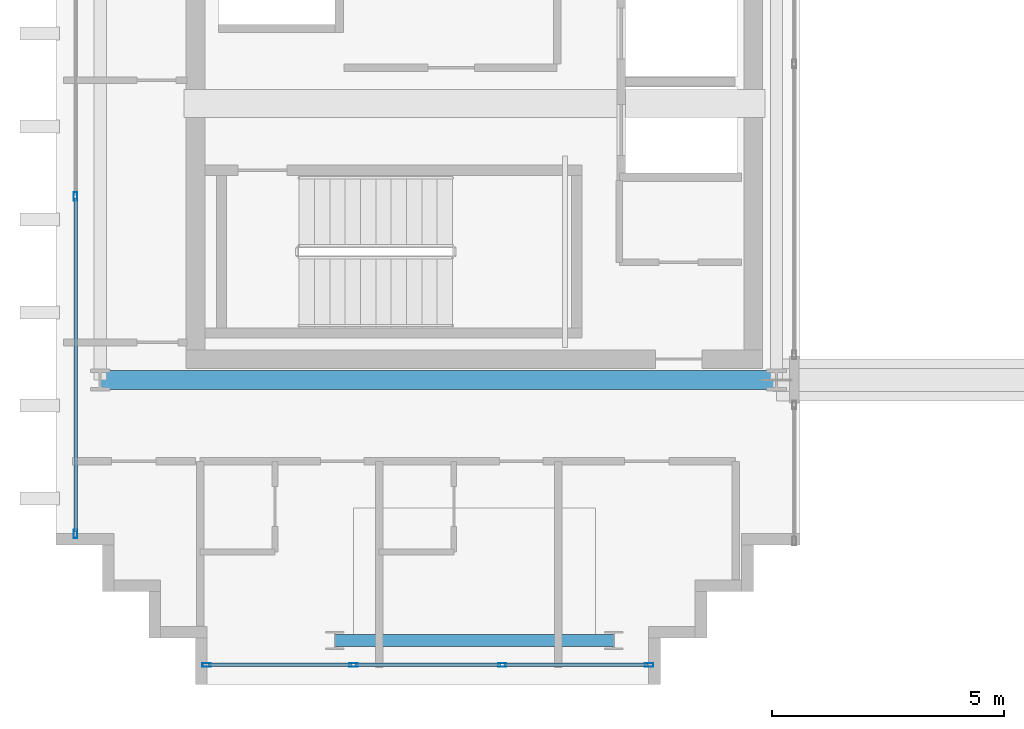
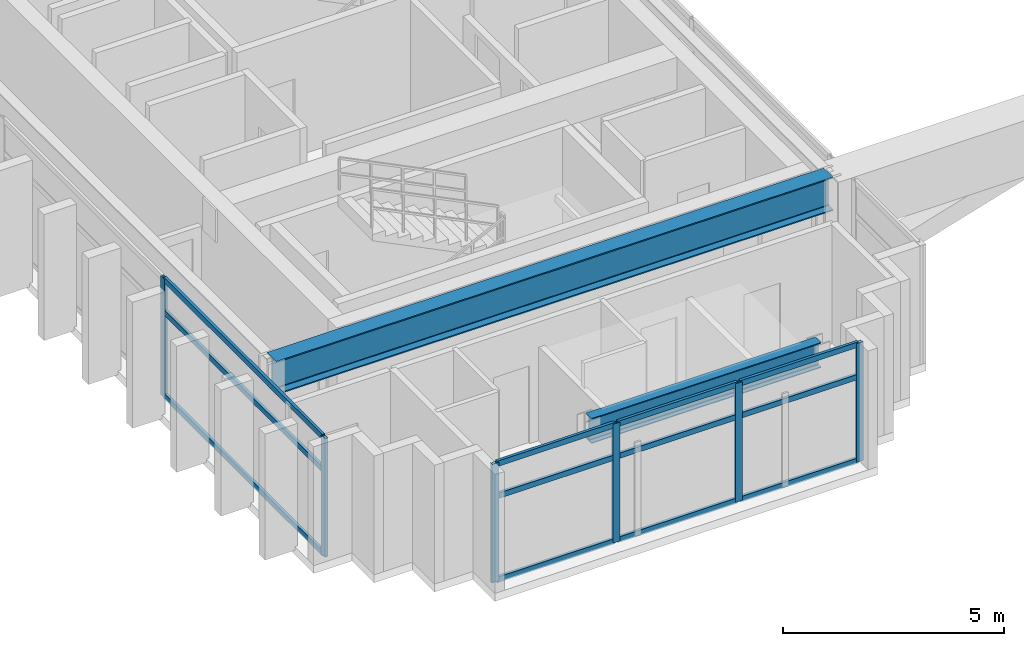
# One storey, part 2 of 28: 18 members, 2 beams, 2 elements without a shape of their own.
"""IFC4 building model written with IfcOpenShell, lengths in metres."""

import ifcopenshell
import ifcopenshell.guid

model = None  # the IFC model being written
_history = None  # IfcOwnerHistory: only IFC2X3 demands one
_inside = {}  # id of a spatial element -> (the spatial element, [elements in it])
_under = {}  # id of a project, library or spatial element -> (it, [spatial elements below it])
_declared = {}  # id of a project -> (the project, [libraries it declares])
_typed = {}  # id of a type object -> (the type object, [elements of that type])
_made_of = {}  # id of a material, layer set ... -> (it, [elements and type objects made of it])


def new_model(schema):
    """Start an empty IFC model of exactly this schema.

    Asked for "IFC4X3", IfcOpenShell would pick the latest addendum, in which some entities
    have other attributes; the version numbers below select the first issue.
    IFC2X3 requires an IfcOwnerHistory on every rooted entity: one is made here for all.
    """
    global model, _history
    if schema == "IFC4X3":
        model = ifcopenshell.file(schema_version=(4, 3, 0, 0))
    else:
        model = ifcopenshell.file(schema=schema)
    _inside.clear()
    _under.clear()
    _declared.clear()
    _typed.clear()
    _made_of.clear()
    _history = None
    if model.schema == "IFC2X3":
        org = make("IfcOrganization", Name="unknown")
        user = make(
            "IfcPersonAndOrganization",
            ThePerson=make("IfcPerson", FamilyName="unknown"),
            TheOrganization=org,
        )
        app = make(
            "IfcApplication",
            ApplicationDeveloper=org,
            Version="unknown",
            ApplicationFullName="unknown",
            ApplicationIdentifier="unknown",
        )
        _history = make(
            "IfcOwnerHistory",
            OwningUser=user,
            OwningApplication=app,
            ChangeAction="ADDED",
            CreationDate=0,
        )
    return model


def make(cls, **values):
    """One entity of the class cls with the attributes given. An attribute that is None is left unset."""
    return model.create_entity(
        cls, **{name: value for name, value in values.items() if value is not None}
    )


def rooted(cls, **values):
    """An entity with a GlobalId (a new one), such as an element, a storey or a relation."""
    return make(cls, GlobalId=ifcopenshell.guid.new(), OwnerHistory=_history, **values)


def si_unit(unit_type, name, prefix=None):
    """IfcSIUnit, for example si_unit("LENGTHUNIT", "METRE", prefix="MILLI")."""
    return make("IfcSIUnit", UnitType=unit_type, Prefix=prefix, Name=name)


def assignment(units):
    """IfcUnitAssignment: the units of a project."""
    return None if units is None else make("IfcUnitAssignment", Units=units)


def point(xyz):
    """IfcCartesianPoint."""
    return None if xyz is None else make("IfcCartesianPoint", Coordinates=xyz)


def direction(xyz):
    """IfcDirection."""
    return None if xyz is None else make("IfcDirection", DirectionRatios=xyz)


def frame(location, z_axis=None, x_axis=None):
    """IfcAxis2Placement3D, a coordinate frame: its origin and axes. An axis left out is left unset."""
    return make(
        "IfcAxis2Placement3D",
        Location=point(location),
        Axis=direction(z_axis),
        RefDirection=direction(x_axis),
    )


def frame_2d(location, x_axis=None):
    """IfcAxis2Placement2D, a coordinate frame in the plane: its origin and x axis."""
    return make(
        "IfcAxis2Placement2D", Location=point(location), RefDirection=direction(x_axis)
    )


def origin():
    """The frame at (0, 0, 0) with its axes left unset."""
    return frame((0.0, 0.0, 0.0))


def origin_2d():
    """The frame at (0, 0) in the plane with its x axis left unset."""
    return frame_2d((0.0, 0.0))


def place(relative_to, where):
    """IfcLocalPlacement: puts the frame where relative to a parent placement (None: the world)."""
    return make(
        "IfcLocalPlacement", PlacementRelTo=relative_to, RelativePlacement=where
    )


def context(
    kind, dimensions, precision=None, world=None, true_north=None, identifier=None
):
    """IfcGeometricRepresentationContext, for example the 3D "Model" context."""
    return make(
        "IfcGeometricRepresentationContext",
        ContextIdentifier=identifier,
        ContextType=kind,
        CoordinateSpaceDimension=dimensions,
        Precision=precision,
        WorldCoordinateSystem=world,
        TrueNorth=true_north,
    )


def subcontext(parent, identifier, kind, view, scale=None):
    """IfcGeometricRepresentationSubContext, for example "Body" below "Model"."""
    return make(
        "IfcGeometricRepresentationSubContext",
        ContextIdentifier=identifier,
        ContextType=kind,
        ParentContext=parent,
        TargetScale=scale,
        TargetView=view,
    )


def project(units=None, contexts=None):
    """IfcProject with its units and contexts."""
    return rooted(
        "IfcProject",
        Name="project",
        RepresentationContexts=contexts,
        UnitsInContext=assignment(units),
    )


def spatial(cls, under=None, at=None, **own):
    """A site, building, storey or space (cls), placed at a placement, below another one or the project."""
    s = rooted(cls, ObjectPlacement=at, **own)
    if under is not None:
        _under.setdefault(under.id(), (under, []))[1].append(s)
    return s


def profile(cls, at=None, kind="AREA", **sizes):
    """A parametric profile (cls). Its sizes go by their IFC names, for example OverallWidth=200.0."""
    return make(cls, ProfileType=kind, Position=at, **sizes)


def hollow_rectangle(**sizes):
    """IfcRectangleHollowProfileDef."""
    return profile("IfcRectangleHollowProfileDef", **sizes)


def i_section(**sizes):
    """IfcIShapeProfileDef."""
    return profile("IfcIShapeProfileDef", **sizes)


def extrude(swept, where, along, depth):
    """IfcExtrudedAreaSolid: the profile swept, set in the frame where, extruded along a direction by depth."""
    return make(
        "IfcExtrudedAreaSolid",
        SweptArea=swept,
        Position=where,
        ExtrudedDirection=direction(along),
        Depth=depth,
    )


def shape(context_of_items, identifier, shape_type, items):
    """IfcShapeRepresentation: the items that make up one representation, for example the "Body"."""
    return make(
        "IfcShapeRepresentation",
        ContextOfItems=context_of_items,
        RepresentationIdentifier=identifier,
        RepresentationType=shape_type,
        Items=items,
    )


def source(mapping_origin, context_of_items, identifier, shape_type, items):
    """IfcRepresentationMap: a shape defined once, which mapped items show again and again."""
    return make(
        "IfcRepresentationMap",
        MappingOrigin=mapping_origin,
        MappedRepresentation=shape(context_of_items, identifier, shape_type, items),
    )


def transform(
    local_origin,
    x_axis=None,
    y_axis=None,
    z_axis=None,
    scale=None,
    scale2=None,
    scale3=None,
    uniform=True,
):
    """IfcCartesianTransformationOperator3D, or its non-uniform kind. x_axis, y_axis, z_axis: its Axis1, 2, 3."""
    if uniform:
        return make(
            "IfcCartesianTransformationOperator3D",
            Axis1=direction(x_axis),
            Axis2=direction(y_axis),
            LocalOrigin=point(local_origin),
            Scale=scale,
            Axis3=direction(z_axis),
        )
    return make(
        "IfcCartesianTransformationOperator3DnonUniform",
        Axis1=direction(x_axis),
        Axis2=direction(y_axis),
        LocalOrigin=point(local_origin),
        Scale=scale,
        Axis3=direction(z_axis),
        Scale2=scale2,
        Scale3=scale3,
    )


def mapped(mapping_source, mapping_target):
    """IfcMappedItem: shows the shape of a source again, moved by a transform."""
    return make(
        "IfcMappedItem", MappingSource=mapping_source, MappingTarget=mapping_target
    )


def material(Name=None, Category=None):
    """IfcMaterial."""
    return make("IfcMaterial", Name=Name, Category=Category)


def layer(
    of_material, thickness, ventilated=None, Name=None, Category=None, Priority=None
):
    """IfcMaterialLayer: one layer of a wall or slab, of a material (None: an air gap)."""
    return make(
        "IfcMaterialLayer",
        Material=of_material,
        LayerThickness=thickness,
        IsVentilated=ventilated,
        Name=Name,
        Category=Category,
        Priority=Priority,
    )


def layer_set(layers, Name=None):
    """IfcMaterialLayerSet."""
    return make("IfcMaterialLayerSet", MaterialLayers=layers, LayerSetName=Name)


def material_profile(
    of_material, cross_section, Name=None, Category=None, Priority=None
):
    """IfcMaterialProfile: a cross section and its material."""
    return make(
        "IfcMaterialProfile",
        Name=Name,
        Material=of_material,
        Profile=cross_section,
        Priority=Priority,
        Category=Category,
    )


def profile_set(profiles, Name=None, composite=None):
    """IfcMaterialProfileSet."""
    return make(
        "IfcMaterialProfileSet",
        Name=Name,
        MaterialProfiles=profiles,
        CompositeProfile=composite,
    )


def made_of(thing, what):
    """Note that an element or type object is made of a material, layer set ...; save() writes the relation."""
    if what is not None:
        _made_of.setdefault(what.id(), (what, []))[1].append(thing)
    return thing


def type_object(cls, material=None, **own):
    """A type object (cls), such as IfcWallType, which elements share."""
    return made_of(rooted(cls, **own), material)


def element(
    cls,
    number,
    at=None,
    inside=None,
    cuts=None,
    type_object=None,
    material=None,
    context=None,
    identifier="Body",
    shape_type=None,
    held_by="IfcProductDefinitionShape",
    body=None,
    shapes=None,
    **own,
):
    """One element of the class cls, such as IfcWall. Its Tag is "e" and its number.

    at: its placement. inside: the storey or other place that contains it. cuts: it is an
    opening in that element (IfcRelVoidsElement). A single representation is given by context,
    identifier, shape_type and body (its items); several are given by shapes. held_by: the class
    of the entity that holds the representations. save() writes the other relations.
    """
    e = rooted(cls, Tag="e%d" % number, ObjectPlacement=at, **own)
    if body is not None:
        shapes = [shape(context, identifier, shape_type, body)]
    if shapes is not None:
        e.Representation = make(held_by, Representations=shapes)
    if inside is not None:
        _inside.setdefault(inside.id(), (inside, []))[1].append(e)
    if cuts is not None:
        rooted(
            "IfcRelVoidsElement", RelatingBuildingElement=cuts, RelatedOpeningElement=e
        )
    if type_object is not None:
        _typed.setdefault(type_object.id(), (type_object, []))[1].append(e)
    return made_of(e, material)


def aggregate(whole, parts):
    """IfcRelAggregates: a whole, such as a stair, and the parts it consists of."""
    return rooted("IfcRelAggregates", RelatingObject=whole, RelatedObjects=parts)


def save(model, path):
    """Write the relations noted so far, then the file.

    IfcRelAggregates (storeys below a building ...), IfcRelContainedInSpatialStructure (elements
    in a storey), IfcRelDefinesByType, IfcRelAssociatesMaterial and IfcRelDeclares: one each for
    every whole, place, type object, material and project.
    """
    for whole, parts in _under.values():
        aggregate(whole, parts)
    for where, things in _inside.values():
        rooted(
            "IfcRelContainedInSpatialStructure",
            RelatedElements=things,
            RelatingStructure=where,
        )
    for kind, things in _typed.values():
        rooted("IfcRelDefinesByType", RelatedObjects=things, RelatingType=kind)
    for what, things in _made_of.values():
        rooted("IfcRelAssociatesMaterial", RelatedObjects=things, RelatingMaterial=what)
    for by, libraries in _declared.values():
        rooted("IfcRelDeclares", RelatingContext=by, RelatedDefinitions=libraries)
    model.write(path)


model = new_model("IFC4")

# Units and contexts
model_context = context("Model", 3, precision=1e-05, world=origin(), true_north=direction((0.0, 1.0)))
body_context = subcontext(model_context, "Body", "Model", "MODEL_VIEW")
ifc_project = project(units=[si_unit("LENGTHUNIT", "METRE"), si_unit("AREAUNIT", "SQUARE_METRE"), si_unit("VOLUMEUNIT", "CUBIC_METRE"), si_unit("PLANEANGLEUNIT", "RADIAN"), si_unit("MASSUNIT", "GRAM", prefix="KILO")], contexts=[model_context])

# Site, building, storey
site_placement = place(None, origin())
site = spatial("IfcSite", under=ifc_project, at=site_placement, CompositionType="ELEMENT")
building_placement = place(site_placement, origin())
building = spatial("IfcBuilding", under=site, at=building_placement, Name="Ocotamira Hotel", CompositionType="ELEMENT")
storey_placement = place(building_placement, frame((0.0, 0.0, 268.800048828125)))
storey = spatial("IfcBuildingStorey", under=building, at=storey_placement, Name="L68", CompositionType="ELEMENT", Elevation=268.800048828125)

# Beams
ifc_material_1 = material(Name="Steel ASTM A992 Grade 50", Category="steel")
ifc_material_profile_1 = material_profile(ifc_material_1, i_section(OverallWidth=0.41796875, OverallDepth=0.927001953125, WebThickness=0.019287109375, FlangeThickness=0.031982421875, FilletRadius=0.02392578125, at=origin_2d()), Name="W36X231")
ifc_profile_set_1 = profile_set([ifc_material_profile_1], Name="Steel ASTM A992 Grade 50")
beam_type_1 = type_object("IfcBeamType", Name="BM-GIRD-W36X231", PredefinedType="BEAM", material=ifc_profile_set_1)
shared_shape_1 = source(origin(), body_context, "Body", "SweptSolid", [
    extrude(i_section(OverallWidth=0.41796875, OverallDepth=0.927001953125, WebThickness=0.019287109375, FlangeThickness=0.031982421875, FilletRadius=0.02392578125, at=origin_2d()), origin(), (0.0, 0.0, 1.0), 14.550048828125),
])
beam_1_placement = place(storey_placement, frame((8.949951171875, 14.550048828125, 2.81640625), z_axis=(1.0, 0.0, 0.0), x_axis=(0.0, 1.0, 0.0)))
element("IfcBeam", 1, at=beam_1_placement, inside=storey, type_object=beam_type_1, Name="L68 Girder Y14.55 X8.95-23.5", PredefinedType="BEAM", context=body_context, shape_type="MappedRepresentation", body=[
    mapped(shared_shape_1, transform((0.0, 0.0, 0.0), scale=1.0)),
])
ifc_material_profile_2 = material_profile(ifc_material_1, i_section(OverallWidth=0.256103515625, OverallDepth=0.693115234375, WebThickness=0.014404296875, FlangeThickness=0.023681640625, FilletRadius=0.01611328125, at=origin_2d()), Name="W27X114")
ifc_profile_set_2 = profile_set([ifc_material_profile_2], Name="Steel ASTM A992 Grade 50")
beam_type_2 = type_object("IfcBeamType", Name="BM-PRIM-W27X114", PredefinedType="BEAM", material=ifc_profile_set_2)
shared_shape_2 = source(origin(), body_context, "Body", "SweptSolid", [
    extrude(i_section(OverallWidth=0.256103515625, OverallDepth=0.693115234375, WebThickness=0.014404296875, FlangeThickness=0.023681640625, FilletRadius=0.01611328125, at=origin_2d()), origin(), (0.0, 0.0, 1.0), 6.0),
])
beam_2_placement = place(storey_placement, frame((14.0, 8.949951171875, 2.933349609375), z_axis=(1.0, 0.0, 0.0), x_axis=(0.0, 1.0, 0.0)))
element("IfcBeam", 2, at=beam_2_placement, inside=storey, type_object=beam_type_2, Name="L68 Girder Y8.95 X14-20", PredefinedType="BEAM", context=body_context, shape_type="MappedRepresentation", body=[
    mapped(shared_shape_2, transform((0.0, 0.0, 0.0), scale=1.0)),
])

# Curtain wall, members
ifc_material_2 = material(Name="Anodised pale-metal aluminium and solar glass", Category="aluminium")
ifc_layer = layer(ifc_material_2, 0.2099609375)
ifc_layer_set = layer_set([ifc_layer], Name="Anodised pale-metal aluminium and solar glass")
curtain_wall_type = type_object("IfcCurtainWallType", Name="CW-SYS7-PEAK", PredefinedType="NOTDEFINED", material=ifc_layer_set)
curtain_wall_1_placement = place(storey_placement, origin())
curtain_wall_1 = element("IfcCurtainWall", 3, at=curtain_wall_1_placement, inside=storey, type_object=curtain_wall_type, Name="L68 Curtain Wall CW-7 CW-L68-WS", PredefinedType="NOTDEFINED")
ifc_material_3 = material(Name="Anodised pale-metal aluminium 6063-T6", Category="aluminium")
ifc_material_profile_3 = material_profile(ifc_material_3, hollow_rectangle(XDim=0.080078125, YDim=0.179931640625, WallThickness=0.006103515625, at=origin_2d()), Name="HSS180X80X6")
ifc_profile_set_3 = profile_set([ifc_material_profile_3], Name="Anodised pale-metal aluminium 6063-T6")
member_type_1 = type_object("IfcMemberType", Name="CWM-180X75", PredefinedType="MULLION", material=ifc_profile_set_3)
shared_shape_3 = source(origin(), body_context, "Body", "SweptSolid", [
    extrude(hollow_rectangle(XDim=0.080078125, YDim=0.179931640625, WallThickness=0.006103515625, at=origin_2d()), origin(), (0.0, 0.0, 1.0), 3.280029296875),
])
member_1_placement = place(storey_placement, frame((11.239990234375, 8.419921875, 0.0), z_axis=(0.0, 0.0, 1.0), x_axis=(0.0, 1.0, 0.0)))
member_1 = element("IfcMember", 4, at=member_1_placement, type_object=member_type_1, Name="CW-7 mullion 1", PredefinedType="MULLION", context=body_context, shape_type="MappedRepresentation", body=[
    mapped(shared_shape_3, transform((0.0, 0.0, 0.0), scale=1.0)),
])
member_2_placement = place(storey_placement, frame((14.39990234375, 8.419921875, 0.0), z_axis=(0.0, 0.0, 1.0), x_axis=(0.0, 1.0, 0.0)))
member_2 = element("IfcMember", 5, at=member_2_placement, type_object=member_type_1, Name="CW-7 mullion 2", PredefinedType="MULLION", context=body_context, shape_type="MappedRepresentation", body=[
    mapped(shared_shape_3, transform((0.0, 0.0, 0.0), scale=1.0)),
])
member_3_placement = place(storey_placement, frame((17.60009765625, 8.419921875, 0.0), z_axis=(0.0, 0.0, 1.0), x_axis=(0.0, 1.0, 0.0)))
member_3 = element("IfcMember", 6, at=member_3_placement, type_object=member_type_1, Name="CW-7 mullion 3", PredefinedType="MULLION", context=body_context, shape_type="MappedRepresentation", body=[
    mapped(shared_shape_3, transform((0.0, 0.0, 0.0), scale=1.0)),
])
member_4_placement = place(storey_placement, frame((20.760009765625, 8.419921875, 0.0), z_axis=(0.0, 0.0, 1.0), x_axis=(0.0, 1.0, 0.0)))
member_4 = element("IfcMember", 7, at=member_4_placement, type_object=member_type_1, Name="CW-7 mullion 4", PredefinedType="MULLION", context=body_context, shape_type="MappedRepresentation", body=[
    mapped(shared_shape_3, transform((0.0, 0.0, 0.0), scale=1.0)),
])

curtain_wall_2_placement = place(storey_placement, origin())
curtain_wall_2 = element("IfcCurtainWall", 8, at=curtain_wall_2_placement, inside=storey, type_object=curtain_wall_type, Name="L68 Curtain Wall CW-7 CW-L68-WO1", PredefinedType="NOTDEFINED")
member_5_placement = place(storey_placement, frame((8.419921875, 11.239990234375, 0.0), z_axis=(0.0, 0.0, 1.0), x_axis=(-1.0, 0.0, 0.0)))
member_5 = element("IfcMember", 9, at=member_5_placement, type_object=member_type_1, Name="CW-7 mullion 1", PredefinedType="MULLION", context=body_context, shape_type="MappedRepresentation", body=[
    mapped(shared_shape_3, transform((0.0, 0.0, 0.0), scale=1.0)),
])
member_6_placement = place(storey_placement, frame((8.419921875, 18.5, 0.0), z_axis=(0.0, 0.0, 1.0), x_axis=(-1.0, 0.0, 0.0)))
member_6 = element("IfcMember", 10, at=member_6_placement, type_object=member_type_1, Name="CW-7 mullion 2", PredefinedType="MULLION", context=body_context, shape_type="MappedRepresentation", body=[
    mapped(shared_shape_3, transform((0.0, 0.0, 0.0), scale=1.0)),
])

# Member
ifc_material_profile_4 = material_profile(ifc_material_3, hollow_rectangle(XDim=0.074951171875, YDim=0.14990234375, WallThickness=0.006103515625, at=origin_2d()), Name="HSS150X75X6")
ifc_profile_set_4 = profile_set([ifc_material_profile_4], Name="Anodised pale-metal aluminium 6063-T6")
member_type_2 = type_object("IfcMemberType", Name="CWT-150X75", PredefinedType="USERDEFINED", material=ifc_profile_set_4)
shared_shape_4 = source(origin(), body_context, "Body", "SweptSolid", [
    extrude(hollow_rectangle(XDim=0.074951171875, YDim=0.14990234375, WallThickness=0.006103515625, at=origin_2d()), origin(), (0.0, 0.0, 1.0), 3.080078125),
])
member_7_placement = place(storey_placement, frame((11.280029296875, 8.419921875, 0.037353515625), z_axis=(1.0, 0.0, 0.0), x_axis=(0.0, 1.0, 0.0)))
member_7 = element("IfcMember", 11, at=member_7_placement, type_object=member_type_2, Name="CW-7 transom 1.1", ObjectType="TRANSOM", PredefinedType="USERDEFINED", context=body_context, shape_type="MappedRepresentation", body=[
    mapped(shared_shape_4, transform((0.0, 0.0, 0.0), scale=1.0)),
])

member_8_placement = place(storey_placement, frame((11.280029296875, 8.419921875, 2.349853515625), z_axis=(1.0, 0.0, 0.0), x_axis=(0.0, 1.0, 0.0)))
member_8 = element("IfcMember", 12, at=member_8_placement, type_object=member_type_2, Name="CW-7 transom 1.2", ObjectType="TRANSOM", PredefinedType="USERDEFINED", context=body_context, shape_type="MappedRepresentation", body=[
    mapped(shared_shape_4, transform((0.0, 0.0, 0.0), scale=1.0)),
])

member_9_placement = place(storey_placement, frame((11.280029296875, 8.419921875, 3.242431640625), z_axis=(1.0, 0.0, 0.0), x_axis=(0.0, 1.0, 0.0)))
member_9 = element("IfcMember", 13, at=member_9_placement, type_object=member_type_2, Name="CW-7 transom 1.3", ObjectType="TRANSOM", PredefinedType="USERDEFINED", context=body_context, shape_type="MappedRepresentation", body=[
    mapped(shared_shape_4, transform((0.0, 0.0, 0.0), scale=1.0)),
])

member_10_placement = place(storey_placement, frame((17.639892578125, 8.419921875, 0.037353515625), z_axis=(1.0, 0.0, 0.0), x_axis=(0.0, 1.0, 0.0)))
member_10 = element("IfcMember", 14, at=member_10_placement, type_object=member_type_2, Name="CW-7 transom 3.1", ObjectType="TRANSOM", PredefinedType="USERDEFINED", context=body_context, shape_type="MappedRepresentation", body=[
    mapped(shared_shape_4, transform((0.0, 0.0, 0.0), scale=1.0)),
])

member_11_placement = place(storey_placement, frame((17.639892578125, 8.419921875, 2.349853515625), z_axis=(1.0, 0.0, 0.0), x_axis=(0.0, 1.0, 0.0)))
member_11 = element("IfcMember", 15, at=member_11_placement, type_object=member_type_2, Name="CW-7 transom 3.2", ObjectType="TRANSOM", PredefinedType="USERDEFINED", context=body_context, shape_type="MappedRepresentation", body=[
    mapped(shared_shape_4, transform((0.0, 0.0, 0.0), scale=1.0)),
])

member_12_placement = place(storey_placement, frame((17.639892578125, 8.419921875, 3.242431640625), z_axis=(1.0, 0.0, 0.0), x_axis=(0.0, 1.0, 0.0)))
member_12 = element("IfcMember", 16, at=member_12_placement, type_object=member_type_2, Name="CW-7 transom 3.3", ObjectType="TRANSOM", PredefinedType="USERDEFINED", context=body_context, shape_type="MappedRepresentation", body=[
    mapped(shared_shape_4, transform((0.0, 0.0, 0.0), scale=1.0)),
])

shared_shape_5 = source(origin(), body_context, "Body", "SweptSolid", [
    extrude(hollow_rectangle(XDim=0.074951171875, YDim=0.14990234375, WallThickness=0.006103515625, at=origin_2d()), origin(), (0.0, 0.0, 1.0), 3.1201171875),
])
member_13_placement = place(storey_placement, frame((14.43994140625, 8.419921875, 0.037353515625), z_axis=(1.0, 0.0, 0.0), x_axis=(0.0, 1.0, 0.0)))
member_13 = element("IfcMember", 17, at=member_13_placement, type_object=member_type_2, Name="CW-7 transom 2.1", ObjectType="TRANSOM", PredefinedType="USERDEFINED", context=body_context, shape_type="MappedRepresentation", body=[
    mapped(shared_shape_5, transform((0.0, 0.0, 0.0), scale=1.0)),
])

member_14_placement = place(storey_placement, frame((14.43994140625, 8.419921875, 2.349853515625), z_axis=(1.0, 0.0, 0.0), x_axis=(0.0, 1.0, 0.0)))
member_14 = element("IfcMember", 18, at=member_14_placement, type_object=member_type_2, Name="CW-7 transom 2.2", ObjectType="TRANSOM", PredefinedType="USERDEFINED", context=body_context, shape_type="MappedRepresentation", body=[
    mapped(shared_shape_5, transform((0.0, 0.0, 0.0), scale=1.0)),
])

member_15_placement = place(storey_placement, frame((14.43994140625, 8.419921875, 3.242431640625), z_axis=(1.0, 0.0, 0.0), x_axis=(0.0, 1.0, 0.0)))
member_15 = element("IfcMember", 19, at=member_15_placement, type_object=member_type_2, Name="CW-7 transom 2.3", ObjectType="TRANSOM", PredefinedType="USERDEFINED", context=body_context, shape_type="MappedRepresentation", body=[
    mapped(shared_shape_5, transform((0.0, 0.0, 0.0), scale=1.0)),
])

aggregate(curtain_wall_1, [member_1, member_2, member_3, member_4, member_7, member_8, member_9, member_13, member_14, member_15, member_10, member_11, member_12])

shared_shape_6 = source(origin(), body_context, "Body", "SweptSolid", [
    extrude(hollow_rectangle(XDim=0.074951171875, YDim=0.14990234375, WallThickness=0.006103515625, at=origin_2d()), origin(), (0.0, 0.0, 1.0), 7.179931640625),
])
member_16_placement = place(storey_placement, frame((8.419921875, 11.280029296875, 0.037353515625), z_axis=(0.0, 1.0, 0.0), x_axis=(-1.0, 0.0, 0.0)))
member_16 = element("IfcMember", 20, at=member_16_placement, type_object=member_type_2, Name="CW-7 transom 1.1", ObjectType="TRANSOM", PredefinedType="USERDEFINED", context=body_context, shape_type="MappedRepresentation", body=[
    mapped(shared_shape_6, transform((0.0, 0.0, 0.0), scale=1.0)),
])

member_17_placement = place(storey_placement, frame((8.419921875, 11.280029296875, 2.349853515625), z_axis=(0.0, 1.0, 0.0), x_axis=(-1.0, 0.0, 0.0)))
member_17 = element("IfcMember", 21, at=member_17_placement, type_object=member_type_2, Name="CW-7 transom 1.2", ObjectType="TRANSOM", PredefinedType="USERDEFINED", context=body_context, shape_type="MappedRepresentation", body=[
    mapped(shared_shape_6, transform((0.0, 0.0, 0.0), scale=1.0)),
])

member_18_placement = place(storey_placement, frame((8.419921875, 11.280029296875, 3.242431640625), z_axis=(0.0, 1.0, 0.0), x_axis=(-1.0, 0.0, 0.0)))
member_18 = element("IfcMember", 22, at=member_18_placement, type_object=member_type_2, Name="CW-7 transom 1.3", ObjectType="TRANSOM", PredefinedType="USERDEFINED", context=body_context, shape_type="MappedRepresentation", body=[
    mapped(shared_shape_6, transform((0.0, 0.0, 0.0), scale=1.0)),
])

aggregate(curtain_wall_2, [member_5, member_6, member_16, member_17, member_18])

save(model, "model.ifc")
